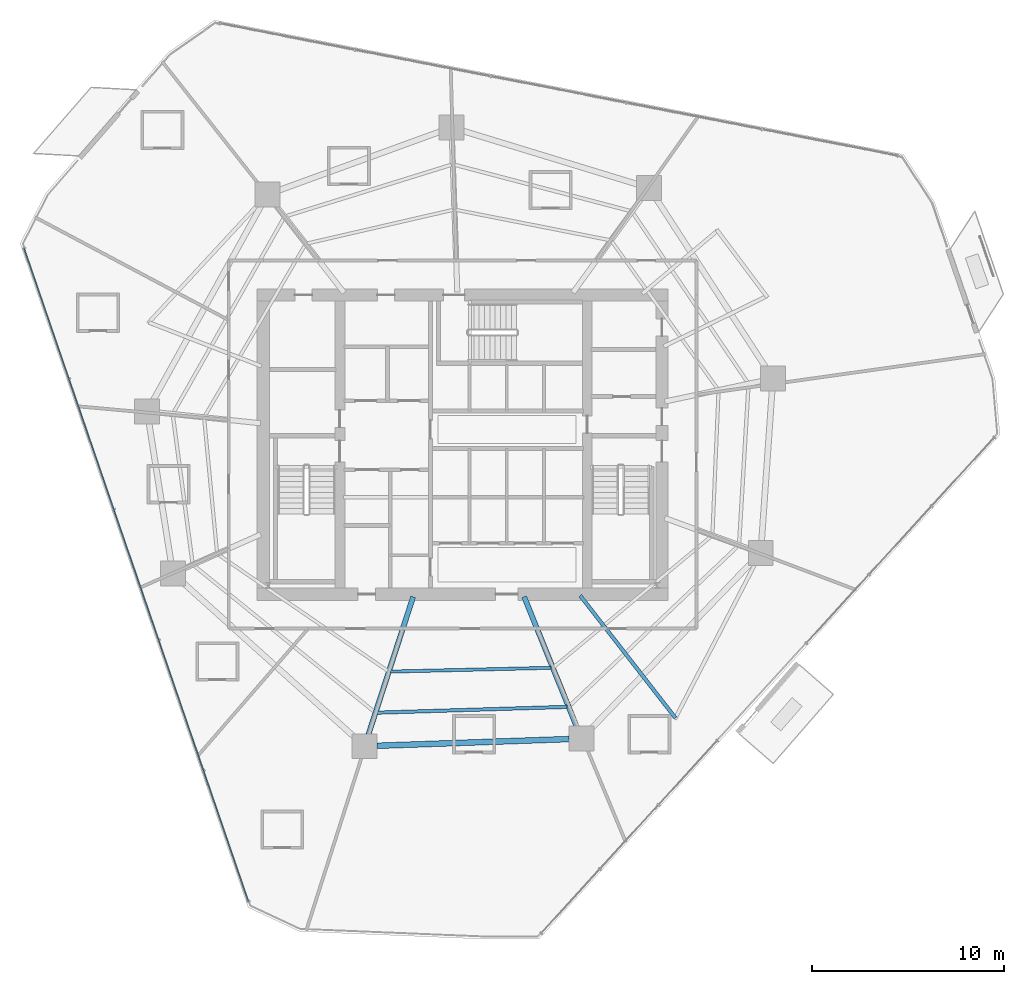
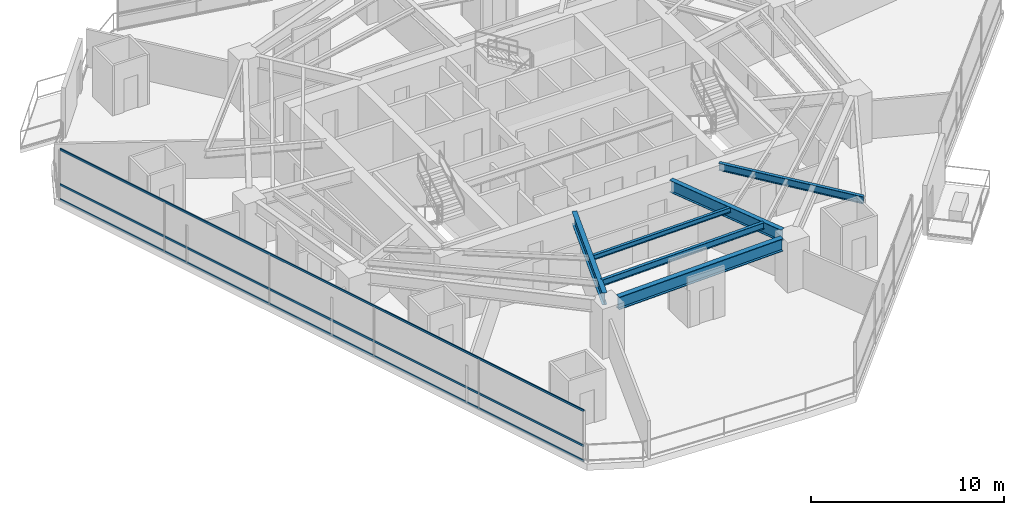
# One storey, part 6 of 33: 6 beams, 3 members, 1 element without a shape of its own.
"""IFC4 building model written with IfcOpenShell, lengths in metres."""

from ifc_helpers import new_model, si_unit, direction, frame, origin, origin_2d, place, context, subcontext, project, spatial, hollow_rectangle, i_section, extrude, material, layer, layer_set, material_profile, profile_set, type_object, element, aggregate, save


model = new_model("IFC4")

# Units and contexts
model_context = context("Model", 3, precision=1e-05, world=origin(), true_north=direction((0.0, 1.0)))
body_context = subcontext(model_context, "Body", "Model", "MODEL_VIEW")
ifc_project = project(units=[si_unit("LENGTHUNIT", "METRE"), si_unit("AREAUNIT", "SQUARE_METRE"), si_unit("VOLUMEUNIT", "CUBIC_METRE"), si_unit("PLANEANGLEUNIT", "RADIAN"), si_unit("MASSUNIT", "GRAM", prefix="KILO")], contexts=[model_context])

# Site, building, storey
site_placement = place(None, origin())
site = spatial("IfcSite", under=ifc_project, at=site_placement, CompositionType="ELEMENT")
building_placement = place(site_placement, origin())
building = spatial("IfcBuilding", under=site, at=building_placement, Name="Qarnah Convention Tower", CompositionType="ELEMENT")
storey_placement = place(building_placement, frame((0.0, 0.0, 27.0)))
storey = spatial("IfcBuildingStorey", under=building, at=storey_placement, Name="L05", CompositionType="ELEMENT", Elevation=27.0)

# Beams
ifc_material_1 = material(Name="Structural steel S355JR", Category="steel")
ifc_material_profile_1 = material_profile(ifc_material_1, i_section(OverallWidth=0.19189453125, OverallDepth=0.464111328125, WebThickness=0.010986328125, FlangeThickness=0.01806640625, at=origin_2d()), Name="W460X89")
ifc_profile_set_1 = profile_set([ifc_material_profile_1], Name="Structural steel S355JR")
beam_type_1 = type_object("IfcBeamType", Name="BM-CANT-W460A", PredefinedType="BEAM", material=ifc_profile_set_1)
beam_1_placement = place(storey_placement, frame((43.3310546875, 18.52099609375, 2.93798828125), z_axis=(0.61429570134, -0.789075909729, 0.0), x_axis=(0.789075909729, 0.61429570134, 0.0)))
element("IfcBeam", 1, at=beam_1_placement, inside=storey, type_object=beam_type_1, Name="L05 beam BM-L05-CNT-03-2", PredefinedType="BEAM", context=body_context, shape_type="SweptSolid", body=[
    extrude(i_section(OverallWidth=0.19189453125, OverallDepth=0.464111328125, WebThickness=0.010986328125, FlangeThickness=0.01806640625, at=origin_2d()), origin(), (0.0, 0.0, 1.0), 8.090576171875),
])
ifc_material_profile_2 = material_profile(ifc_material_1, i_section(OverallWidth=0.166015625, OverallDepth=0.31201171875, WebThickness=0.007080078125, FlangeThickness=0.010986328125, at=origin_2d()), Name="W310X45")
ifc_profile_set_2 = profile_set([ifc_material_profile_2], Name="Structural steel S355JR")
beam_type_2 = type_object("IfcBeamType", Name="BM-JST-W310", PredefinedType="JOIST", material=ifc_profile_set_2)
beam_2_placement = place(storey_placement, frame((33.43994140625, 14.552978515625, 3.013916015625), z_axis=(0.999723467553, 0.023515705909, 0.0), x_axis=(-0.023515705909, 0.999723467553, 0.0)))
element("IfcBeam", 2, at=beam_2_placement, inside=storey, type_object=beam_type_2, Name="L05 joist BM-L05-IJST-07", PredefinedType="JOIST", context=body_context, shape_type="SweptSolid", body=[
    extrude(i_section(OverallWidth=0.166015625, OverallDepth=0.31201171875, WebThickness=0.007080078125, FlangeThickness=0.010986328125, at=origin_2d()), origin(), (0.0, 0.0, 1.0), 8.378173828125),
])
ifc_material_profile_3 = material_profile(ifc_material_1, i_section(OverallWidth=0.177978515625, OverallDepth=0.407958984375, WebThickness=0.008056640625, FlangeThickness=0.012939453125, at=origin_2d()), Name="W410X60")
ifc_profile_set_3 = profile_set([ifc_material_profile_3], Name="Structural steel S355JR")
beam_type_3 = type_object("IfcBeamType", Name="BM-JST-W410", PredefinedType="JOIST", material=ifc_profile_set_3)
beam_3_placement = place(storey_placement, frame((32.743896484375, 12.409912109375, 2.966064453125), z_axis=(0.999534571563, 0.030506396867, 0.0), x_axis=(-0.030506396867, 0.999534571563, 0.0)))
element("IfcBeam", 3, at=beam_3_placement, inside=storey, type_object=beam_type_3, Name="L05 joist BM-L05-SJST-07", PredefinedType="JOIST", context=body_context, shape_type="SweptSolid", body=[
    extrude(i_section(OverallWidth=0.177978515625, OverallDepth=0.407958984375, WebThickness=0.008056640625, FlangeThickness=0.012939453125, at=origin_2d()), origin(), (0.0, 0.0, 1.0), 9.899658203125),
])
ifc_material_profile_4 = material_profile(ifc_material_1, i_section(OverallWidth=0.26806640625, OverallDepth=0.760009765625, WebThickness=0.014892578125, FlangeThickness=0.02197265625, at=origin_2d()), Name="W760X185")
ifc_profile_set_4 = profile_set([ifc_material_profile_4], Name="Structural steel S355JR")
beam_type_4 = type_object("IfcBeamType", Name="BM-RAD-W760", PredefinedType="BEAM", material=ifc_profile_set_4)
beam_4_placement = place(storey_placement, frame((34.6201171875, 18.45703125, 2.7900390625), z_axis=(-0.309057625925, -0.951043313345, 0.0), x_axis=(0.951043313345, -0.309057625925, 0.0)))
element("IfcBeam", 4, at=beam_4_placement, inside=storey, type_object=beam_type_4, Name="L05 beam BM-L05-RAD-07", PredefinedType="BEAM", context=body_context, shape_type="SweptSolid", body=[
    extrude(i_section(OverallWidth=0.26806640625, OverallDepth=0.760009765625, WebThickness=0.014892578125, FlangeThickness=0.02197265625, at=origin_2d()), origin(), (0.0, 0.0, 1.0), 7.568603515625),
])
beam_5_placement = place(storey_placement, frame((40.407958984375, 18.4609375, 2.7900390625), z_axis=(0.374586487969, -0.927191977441, 0.0), x_axis=(0.927191977441, 0.374586487969, 0.0)))
element("IfcBeam", 5, at=beam_5_placement, inside=storey, type_object=beam_type_4, Name="L05 beam BM-L05-RAD-08", PredefinedType="BEAM", context=body_context, shape_type="SweptSolid", body=[
    extrude(i_section(OverallWidth=0.26806640625, OverallDepth=0.760009765625, WebThickness=0.014892578125, FlangeThickness=0.02197265625, at=origin_2d()), origin(), (0.0, 0.0, 1.0), 7.357666015625),
])
ifc_material_profile_5 = material_profile(ifc_material_1, i_section(OverallWidth=0.300048828125, OverallDepth=0.800048828125, WebThickness=0.01806640625, FlangeThickness=0.032958984375, at=origin_2d()), Name="HEB800")
ifc_profile_set_5 = profile_set([ifc_material_profile_5], Name="Structural steel S355JR")
beam_type_5 = type_object("IfcBeamType", Name="BM-RING-HEB800", PredefinedType="BEAM", material=ifc_profile_set_5)
beam_6_placement = place(storey_placement, frame((32.72607421875, 10.681884765625, 2.77001953125), z_axis=(0.999388457365, 0.034967288783, 0.0), x_axis=(-0.034967288783, 0.999388457365, 0.0)))
element("IfcBeam", 6, at=beam_6_placement, inside=storey, type_object=beam_type_5, Name="L05 beam BM-L05-SPN-07", PredefinedType="BEAM", context=body_context, shape_type="SweptSolid", body=[
    extrude(i_section(OverallWidth=0.300048828125, OverallDepth=0.800048828125, WebThickness=0.01806640625, FlangeThickness=0.032958984375, at=origin_2d()), origin(), (0.0, 0.0, 1.0), 10.0400390625),
])

# Curtain wall, members
ifc_material_2 = material(Name="Tempered Low-E dark glass", Category="glass")
ifc_layer = layer(ifc_material_2, 0.16796875)
ifc_layer_set = layer_set([ifc_layer], Name="Tempered Low-E dark glass")
curtain_wall_type = type_object("IfcCurtainWallType", Name="CWS-01", PredefinedType="NOTDEFINED", material=ifc_layer_set)
curtain_wall_placement = place(storey_placement, origin())
curtain_wall = element("IfcCurtainWall", 7, at=curtain_wall_placement, inside=storey, type_object=curtain_wall_type, Name="L05 unitised curtain wall CW-L05-F1", PredefinedType="NOTDEFINED")
ifc_material_3 = material(Name="Black anodised aluminium", Category="aluminium")
ifc_material_profile_6 = material_profile(ifc_material_3, hollow_rectangle(XDim=0.06005859375, YDim=0.1298828125, WallThickness=0.00390625, at=origin_2d()), Name="TRN-60X130")
ifc_profile_set_6 = profile_set([ifc_material_profile_6], Name="Black anodised aluminium")
member_type = type_object("IfcMemberType", Name="TRN-T1", PredefinedType="USERDEFINED", material=ifc_profile_set_6)
member_1_placement = place(storey_placement, frame((26.02392578125, 2.56689453125, 0.0), z_axis=(-0.324887154453, 0.945752788456, 0.0), x_axis=(-0.945752788456, -0.324887154453, 0.0)))
member_1 = element("IfcMember", 8, at=member_1_placement, type_object=member_type, Name="CW-L05-F1 transom 1", ObjectType="TRANSOM", PredefinedType="USERDEFINED", context=body_context, shape_type="SweptSolid", body=[
    extrude(hollow_rectangle(XDim=0.06005859375, YDim=0.1298828125, WallThickness=0.00390625, at=origin_2d()), origin(), (0.0, 0.0, 1.0), 36.02734375),
])
member_2_placement = place(storey_placement, frame((26.02392578125, 2.56689453125, 0.949951171875), z_axis=(-0.324887154453, 0.945752788456, 0.0), x_axis=(-0.945752788456, -0.324887154453, 0.0)))
member_2 = element("IfcMember", 9, at=member_2_placement, type_object=member_type, Name="CW-L05-F1 transom 2", ObjectType="TRANSOM", PredefinedType="USERDEFINED", context=body_context, shape_type="SweptSolid", body=[
    extrude(hollow_rectangle(XDim=0.06005859375, YDim=0.1298828125, WallThickness=0.00390625, at=origin_2d()), origin(), (0.0, 0.0, 1.0), 36.02734375),
])
member_3_placement = place(storey_placement, frame((26.02392578125, 2.56689453125, 3.169921875), z_axis=(-0.324887154453, 0.945752788456, 0.0), x_axis=(-0.945752788456, -0.324887154453, 0.0)))
member_3 = element("IfcMember", 10, at=member_3_placement, type_object=member_type, Name="CW-L05-F1 transom 3", ObjectType="TRANSOM", PredefinedType="USERDEFINED", context=body_context, shape_type="SweptSolid", body=[
    extrude(hollow_rectangle(XDim=0.06005859375, YDim=0.1298828125, WallThickness=0.00390625, at=origin_2d()), origin(), (0.0, 0.0, 1.0), 36.02734375),
])
aggregate(curtain_wall, [member_1, member_2, member_3])

save(model, "model.ifc")
